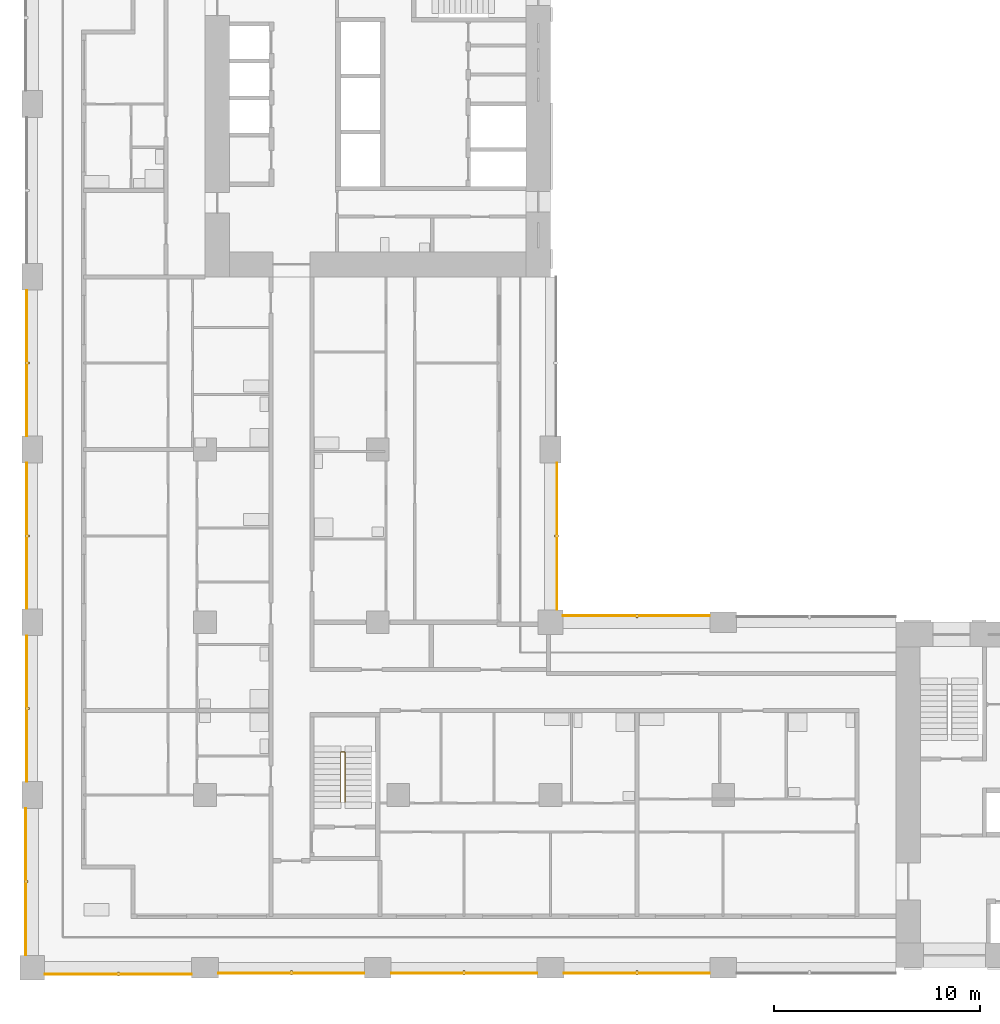
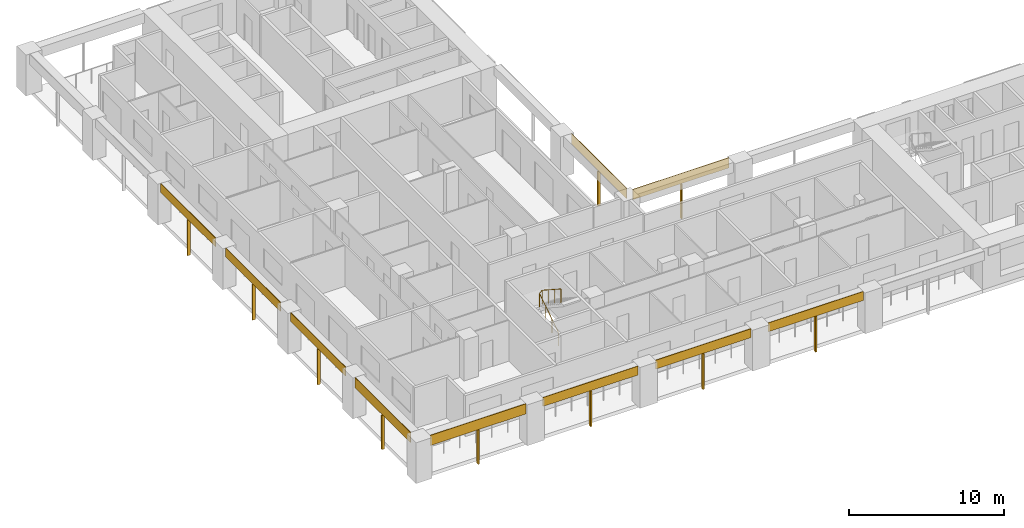
# One storey, part 9 of 17: 20 shading devices, 1 railing.
"""IFC4 building model written with IfcOpenShell, lengths in metres."""

from ifc_helpers import new_model, si_unit, direction, frame, origin, origin_2d, place, context, subcontext, project, spatial, rectangle, circle, extrude, material, layer, layer_set, material_profile, profile_set, type_object, element, save


model = new_model("IFC4")

# Units and contexts
model_context = context("Model", 3, precision=1e-05, world=origin(), true_north=direction((0.0, 1.0)))
body_context = subcontext(model_context, "Body", "Model", "MODEL_VIEW")
ifc_project = project(units=[si_unit("LENGTHUNIT", "METRE"), si_unit("AREAUNIT", "SQUARE_METRE"), si_unit("VOLUMEUNIT", "CUBIC_METRE"), si_unit("PLANEANGLEUNIT", "RADIAN"), si_unit("MASSUNIT", "GRAM", prefix="KILO")], contexts=[model_context])

# Site, building, storey
site_placement = place(None, origin())
site = spatial("IfcSite", under=ifc_project, at=site_placement, CompositionType="ELEMENT")
building_placement = place(site_placement, origin())
building = spatial("IfcBuilding", under=site, at=building_placement, Name="Vermilion Gate Residences", CompositionType="ELEMENT")
storey_placement = place(building_placement, frame((0.0, 0.0, 112.699951171875)))
storey = spatial("IfcBuildingStorey", under=building, at=storey_placement, Name="L28", CompositionType="ELEMENT", Elevation=112.699951171875)

# Shading devices
ifc_material_1 = material(Name="Perforated terracotta", Category="masonry")
ifc_layer = layer(ifc_material_1, 0.0400390625)
ifc_layer_set = layer_set([ifc_layer], Name="PERFORATED TERRACOTTA SCREEN 40")
shading_device_type_1 = type_object("IfcShadingDeviceType", Name="PERFORATED TERRACOTTA SCREEN 40", PredefinedType="SHUTTER", material=ifc_layer_set)
shading_device_1_placement = place(storey_placement, frame((4.175048828125, 8.080078125, 2.419921875), z_axis=(0.0, 0.0, 1.0), x_axis=(1.0, 0.0, 0.0)))
element("IfcShadingDevice", 1, at=shading_device_1_placement, inside=storey, type_object=shading_device_type_1, Name="SCREEN", PredefinedType="SHUTTER", context=body_context, shape_type="SweptSolid", body=[
    extrude(rectangle(XDim=7.14990234375, YDim=0.0400390625, at=origin_2d()), origin(), (0.0, 0.0, 1.0), 0.800048828125),
])
for number, where, z_axis, x_axis, name in (
    (2, (12.60009765625, 8.1298828125, 2.52001953125), (0.0, 0.0, 1.0), (1.0, 0.0, 0.0), "SCREEN"),
    (3, (21.0, 8.1298828125, 2.52001953125), (0.0, 0.0, 1.0), (1.0, 0.0, 0.0), "SCREEN"),
    (4, (29.39990234375, 8.1298828125, 2.52001953125), (0.0, 0.0, 1.0), (1.0, 0.0, 0.0), "SCREEN"),
):
    element("IfcShadingDevice", number, at=place(storey_placement, frame(where, z_axis=z_axis, x_axis=x_axis)), inside=storey, type_object=shading_device_type_1, Name=name, PredefinedType="SHUTTER", context=body_context, shape_type="SweptSolid", body=[
        extrude(rectangle(XDim=7.10009765625, YDim=0.0400390625, at=origin_2d()), origin(), (0.0, 0.0, 1.0), 0.699951171875),
    ])
for number, where, z_axis, x_axis, name in (
    (5, (29.375, 25.52001953125, 2.419921875), (0.0, 0.0, 1.0), (-1.0, 0.0, 0.0), "SCREEN"),
    (6, (25.52001953125, 29.375, 2.419921875), (0.0, 0.0, 1.0), (0.0, 1.0, 0.0), "SCREEN"),
    (7, (-0.320068359375, 12.574951171875, 2.419921875), (0.0, 0.0, 1.0), (0.0, -1.0, 0.0), "SCREEN"),
):
    element("IfcShadingDevice", number, at=place(storey_placement, frame(where, z_axis=z_axis, x_axis=x_axis)), inside=storey, type_object=shading_device_type_1, Name=name, PredefinedType="SHUTTER", context=body_context, shape_type="SweptSolid", body=[
        extrude(rectangle(XDim=7.14990234375, YDim=0.0400390625, at=origin_2d()), origin(), (0.0, 0.0, 1.0), 0.800048828125),
    ])
for number, where, z_axis, x_axis, name in (
    (8, (-0.27001953125, 21.0, 2.52001953125), (0.0, 0.0, 1.0), (0.0, -1.0, 0.0), "SCREEN"),
    (9, (-0.27001953125, 29.39990234375, 2.52001953125), (0.0, 0.0, 1.0), (0.0, -1.0, 0.0), "SCREEN"),
    (10, (-0.27001953125, 37.800048828125, 2.52001953125), (0.0, 0.0, 1.0), (0.0, -1.0, 0.0), "SCREEN"),
):
    element("IfcShadingDevice", number, at=place(storey_placement, frame(where, z_axis=z_axis, x_axis=x_axis)), inside=storey, type_object=shading_device_type_1, Name=name, PredefinedType="SHUTTER", context=body_context, shape_type="SweptSolid", body=[
        extrude(rectangle(XDim=7.10009765625, YDim=0.0400390625, at=origin_2d()), origin(), (0.0, 0.0, 1.0), 0.699951171875),
    ])

# Railing
ifc_material_2 = material(Name="Steel S355", Category="steel")
railing_type = type_object("IfcRailingType", Name="STAIR GUARD 1100 STEEL", PredefinedType="GUARDRAIL", material=ifc_material_2)
railing_placement = place(storey_placement, frame((15.0, 16.449951171875, 0.175048828125)))
element("IfcRailing", 11, at=railing_placement, inside=storey, type_object=railing_type, Name="Stair well guard STC1-28", PredefinedType="GUARDRAIL", context=body_context, shape_type="SweptSolid", body=[
    extrude(circle(Radius=0.02392578125, at=origin_2d()), frame((0.0, 0.0, 1.076171875), z_axis=(0.0, 0.839153699163, 0.543894354798), x_axis=(-1.0, 0.0, 0.0)), (0.0, 0.0, 1.0), 2.895751953125),
    extrude(circle(Radius=0.02392578125, at=origin_2d()), frame((0.0, 2.429931640625, 2.65087890625), z_axis=(0.752405939678, 0.0, 0.658699705433), x_axis=(0.0, 1.0, 0.0)), (0.0, 0.0, 1.0), 0.265869140625),
    extrude(circle(Radius=0.02392578125, at=origin_2d()), frame((0.199951171875, 2.429931640625, 2.826171875), z_axis=(0.0, -0.839153699163, 0.543894354798), x_axis=(1.0, 0.0, 0.0)), (0.0, 0.0, 1.0), 2.895751953125),
    extrude(circle(Radius=0.02099609375, at=origin_2d()), origin(), (0.0, 0.0, 1.0), 1.052001953125),
    extrude(circle(Radius=0.02099609375, at=origin_2d()), frame((0.0, 0.81005859375, 0.52490234375)), (0.0, 0.0, 1.0), 1.052001953125),
    extrude(circle(Radius=0.02099609375, at=origin_2d()), frame((0.0, 1.619873046875, 1.050048828125)), (0.0, 0.0, 1.0), 1.052001953125),
    extrude(circle(Radius=0.02099609375, at=origin_2d()), frame((0.0, 2.429931640625, 1.574951171875)), (0.0, 0.0, 1.0), 1.052001953125),
    extrude(circle(Radius=0.02099609375, at=origin_2d()), frame((0.199951171875, 2.429931640625, 1.75)), (0.0, 0.0, 1.0), 1.052001953125),
    extrude(circle(Radius=0.02099609375, at=origin_2d()), frame((0.199951171875, 1.619873046875, 2.27490234375)), (0.0, 0.0, 1.0), 1.052001953125),
    extrude(circle(Radius=0.02099609375, at=origin_2d()), frame((0.199951171875, 0.81005859375, 2.800048828125)), (0.0, 0.0, 1.0), 1.052001953125),
    extrude(circle(Radius=0.02099609375, at=origin_2d()), frame((0.199951171875, 0.0, 3.324951171875)), (0.0, 0.0, 1.0), 1.052001953125),
])

# Shading devices
ifc_material_3 = material(Name="Extruded terracotta", Category="masonry")
ifc_material_profile = material_profile(ifc_material_3, rectangle(XDim=0.199951171875, YDim=0.10009765625, at=origin_2d()), Name="BAGUETTE 100 X 200")
ifc_profile_set = profile_set([ifc_material_profile], Name="Extruded terracotta")
shading_device_type_2 = type_object("IfcShadingDeviceType", Name="TERRACOTTA BAGUETTE 100 X 200", PredefinedType="JALOUSIE", material=ifc_profile_set)
shading_device_2_placement = place(storey_placement, frame((4.199951171875, 8.10009765625, -0.280029296875), z_axis=(0.0, 0.0, 1.0), x_axis=(0.0, 1.0, 0.0)))
element("IfcShadingDevice", 12, at=shading_device_2_placement, inside=storey, type_object=shading_device_type_2, Name="BAGUETTE", PredefinedType="JALOUSIE", context=body_context, shape_type="SweptSolid", body=[
    extrude(rectangle(XDim=0.199951171875, YDim=0.10009765625, at=origin_2d()), origin(), (0.0, 0.0, 1.0), 2.7001953125),
])
for number, where, z_axis, x_axis, name in (
    (13, (12.60009765625, 8.14990234375, -0.280029296875), (0.0, 0.0, 1.0), (0.0, 1.0, 0.0), "BAGUETTE"),
    (14, (21.0, 8.14990234375, -0.280029296875), (0.0, 0.0, 1.0), (0.0, 1.0, 0.0), "BAGUETTE"),
    (15, (29.39990234375, 8.14990234375, -0.280029296875), (0.0, 0.0, 1.0), (0.0, 1.0, 0.0), "BAGUETTE"),
):
    element("IfcShadingDevice", number, at=place(storey_placement, frame(where, z_axis=z_axis, x_axis=x_axis)), inside=storey, type_object=shading_device_type_2, Name=name, PredefinedType="JALOUSIE", context=body_context, shape_type="SweptSolid", body=[
        extrude(rectangle(XDim=0.199951171875, YDim=0.10009765625, at=origin_2d()), origin(), (0.0, 0.0, 1.0), 2.800048828125),
    ])
for number, where, z_axis, x_axis, name in (
    (16, (29.39990234375, 25.5, -0.280029296875), (0.0, 0.0, 1.0), (0.0, -1.0, 0.0), "BAGUETTE"),
    (17, (25.5, 29.39990234375, -0.280029296875), (0.0, 0.0, 1.0), (-1.0, 0.0, 0.0), "BAGUETTE"),
    (18, (-0.300048828125, 12.60009765625, -0.280029296875), (0.0, 0.0, 1.0), (1.0, 0.0, 0.0), "BAGUETTE"),
):
    element("IfcShadingDevice", number, at=place(storey_placement, frame(where, z_axis=z_axis, x_axis=x_axis)), inside=storey, type_object=shading_device_type_2, Name=name, PredefinedType="JALOUSIE", context=body_context, shape_type="SweptSolid", body=[
        extrude(rectangle(XDim=0.199951171875, YDim=0.10009765625, at=origin_2d()), origin(), (0.0, 0.0, 1.0), 2.7001953125),
    ])
for number, where, z_axis, x_axis, name in (
    (19, (-0.25, 21.0, -0.280029296875), (0.0, 0.0, 1.0), (1.0, 0.0, 0.0), "BAGUETTE"),
    (20, (-0.25, 29.39990234375, -0.280029296875), (0.0, 0.0, 1.0), (1.0, 0.0, 0.0), "BAGUETTE"),
    (21, (-0.25, 37.800048828125, -0.280029296875), (0.0, 0.0, 1.0), (1.0, 0.0, 0.0), "BAGUETTE"),
):
    element("IfcShadingDevice", number, at=place(storey_placement, frame(where, z_axis=z_axis, x_axis=x_axis)), inside=storey, type_object=shading_device_type_2, Name=name, PredefinedType="JALOUSIE", context=body_context, shape_type="SweptSolid", body=[
        extrude(rectangle(XDim=0.199951171875, YDim=0.10009765625, at=origin_2d()), origin(), (0.0, 0.0, 1.0), 2.800048828125),
    ])

save(model, "model.ifc")
